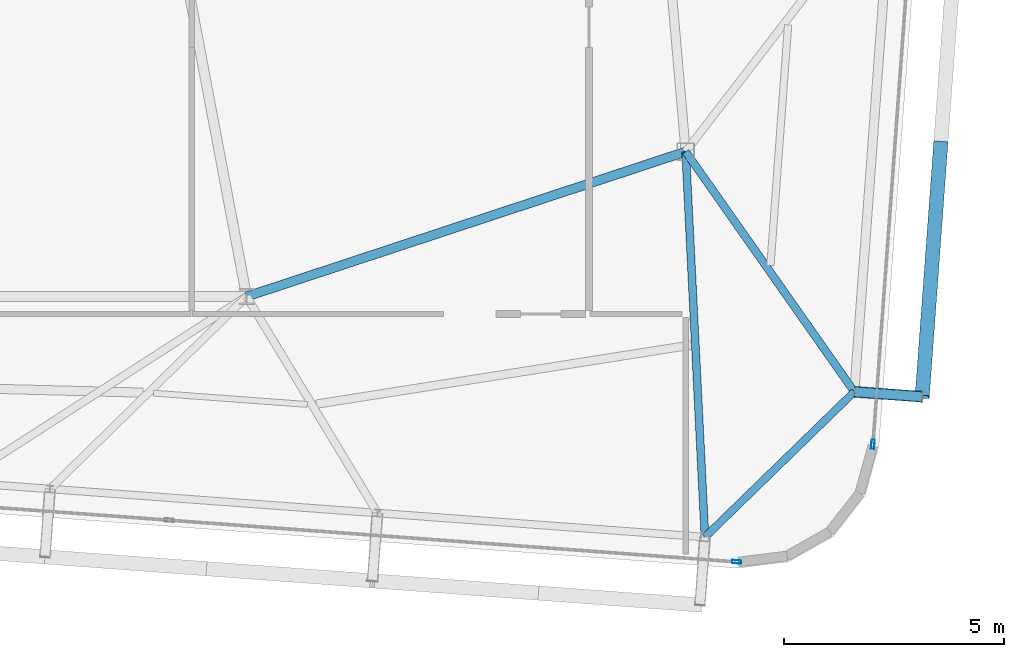
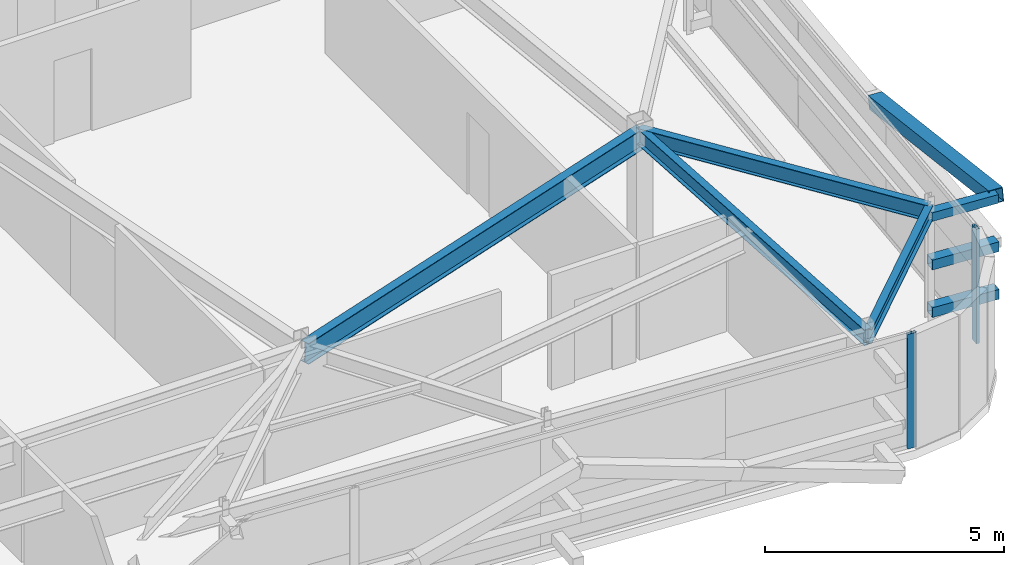
# One storey, part 15 of 34: 6 members, 4 beams, 2 elements without a shape of their own.
"""IFC4 building model written with IfcOpenShell, lengths in metres."""

from ifc_helpers import new_model, si_unit, direction, frame, origin, origin_2d, place, context, subcontext, project, spatial, hollow_rectangle, i_section, extrude, source, transform, mapped, material, layer, layer_set, material_profile, profile_set, type_object, element, aggregate, save


model = new_model("IFC4")

# Units and contexts
model_context = context("Model", 3, precision=1e-05, world=origin(), true_north=direction((0.0, 1.0)))
body_context = subcontext(model_context, "Body", "Model", "MODEL_VIEW")
ifc_project = project(units=[si_unit("LENGTHUNIT", "METRE"), si_unit("AREAUNIT", "SQUARE_METRE"), si_unit("VOLUMEUNIT", "CUBIC_METRE"), si_unit("PLANEANGLEUNIT", "RADIAN"), si_unit("MASSUNIT", "GRAM", prefix="KILO")], contexts=[model_context])

# Site, building, storey
site_placement = place(None, origin())
site = spatial("IfcSite", under=ifc_project, at=site_placement, CompositionType="ELEMENT")
building_placement = place(site_placement, origin())
building = spatial("IfcBuilding", under=site, at=building_placement, Name="Taldren Reach Tower", CompositionType="ELEMENT")
storey_placement = place(building_placement, frame((0.0, 0.0, 246.050048828125)))
storey = spatial("IfcBuildingStorey", under=building, at=storey_placement, Name="L75", CompositionType="ELEMENT", Elevation=246.050048828125)

# Beams
ifc_material_1 = material(Name="Steel Gr 350 (350PLUS)", Category="steel")
ifc_material_profile_1 = material_profile(ifc_material_1, i_section(OverallWidth=0.208984375, OverallDepth=0.532958984375, WebThickness=0.01025390625, FlangeThickness=0.015625, at=origin_2d()), Name="530UB92.4")
ifc_profile_set_1 = profile_set([ifc_material_profile_1], Name="Steel Gr 350 (350PLUS)")
beam_type_1 = type_object("IfcBeamType", Name="BM-UB530A", PredefinedType="BEAM", material=ifc_profile_set_1)
shared_shape_1 = source(origin(), body_context, "Body", "SweptSolid", [
    extrude(i_section(OverallWidth=0.208984375, OverallDepth=0.532958984375, WebThickness=0.01025390625, FlangeThickness=0.015625, at=origin_2d()), origin(), (0.0, 0.0, 1.0), 10.530517578125),
])
beam_1_placement = place(storey_placement, frame((42.0, 9.199951171875, 2.663330078125), z_axis=(0.949627269203, 0.313381635689, 0.0), x_axis=(-0.313381635689, 0.949627269203, 0.0)))
element("IfcBeam", 1, at=beam_1_placement, inside=storey, type_object=beam_type_1, Name="Core-spine girder L75-SP12", PredefinedType="BEAM", context=body_context, shape_type="MappedRepresentation", body=[
    mapped(shared_shape_1, transform((0.0, 0.0, 0.0), scale=1.0)),
])
ifc_material_profile_2 = material_profile(ifc_material_1, i_section(OverallWidth=0.172119140625, OverallDepth=0.35888671875, WebThickness=0.008056640625, FlangeThickness=0.012939453125, at=origin_2d()), Name="360UB56.7")
ifc_profile_set_2 = profile_set([ifc_material_profile_2], Name="Steel Gr 350 (350PLUS)")
beam_type_2 = type_object("IfcBeamType", Name="SP-UB360", PredefinedType="SPANDREL", material=ifc_profile_set_2)
shared_shape_2 = source(origin(), body_context, "Body", "SweptSolid", [
    extrude(i_section(OverallWidth=0.172119140625, OverallDepth=0.35888671875, WebThickness=0.008056640625, FlangeThickness=0.012939453125, at=origin_2d()), origin(), (0.0, 0.0, 1.0), 4.74609375),
])
beam_2_placement = place(storey_placement, frame((52.440185546875, 3.72119140625, 2.75048828125), z_axis=(0.716711338436, 0.697369957309, 0.0), x_axis=(-0.697369957309, 0.716711338436, 0.0)))
element("IfcBeam", 2, at=beam_2_placement, inside=storey, type_object=beam_type_2, Name="Perimeter spandrel B5 S6-E1 L75", PredefinedType="SPANDREL", context=body_context, shape_type="MappedRepresentation", body=[
    mapped(shared_shape_2, transform((0.0, 0.0, 0.0), scale=1.0)),
])
ifc_material_profile_3 = material_profile(ifc_material_1, i_section(OverallWidth=0.177978515625, OverallDepth=0.406005859375, WebThickness=0.0078125, FlangeThickness=0.0126953125, at=origin_2d()), Name="410UB59.7")
ifc_profile_set_3 = profile_set([ifc_material_profile_3], Name="Steel Gr 350 (350PLUS)")
beam_type_3 = type_object("IfcBeamType", Name="BM-UB410", PredefinedType="BEAM", material=ifc_profile_set_3)
shared_shape_3 = source(origin(), body_context, "Body", "SweptSolid", [
    extrude(i_section(OverallWidth=0.177978515625, OverallDepth=0.406005859375, WebThickness=0.0078125, FlangeThickness=0.0126953125, at=origin_2d()), origin(), (0.0, 0.0, 1.0), 8.789794921875),
])
beam_3_placement = place(storey_placement, frame((52.0, 12.5, 2.72705078125), z_axis=(0.050078917367, -0.998745263836, 0.0), x_axis=(0.998745263836, 0.050078917367, 0.0)))
element("IfcBeam", 3, at=beam_3_placement, inside=storey, type_object=beam_type_3, Name="Primary floor girder B5-S6 L75", PredefinedType="BEAM", context=body_context, shape_type="MappedRepresentation", body=[
    mapped(shared_shape_3, transform((0.0, 0.0, 0.0), scale=1.0)),
])
shared_shape_4 = source(origin(), body_context, "Body", "SweptSolid", [
    extrude(i_section(OverallWidth=0.177978515625, OverallDepth=0.406005859375, WebThickness=0.0078125, FlangeThickness=0.0126953125, at=origin_2d()), origin(), (0.0, 0.0, 1.0), 6.68359375),
])
beam_4_placement = place(storey_placement, frame((52.0, 12.5, 2.72705078125), z_axis=(0.574817292651, -0.818281785249, 0.0), x_axis=(0.818281785249, 0.574817292651, 0.0)))
element("IfcBeam", 4, at=beam_4_placement, inside=storey, type_object=beam_type_3, Name="Primary floor girder B5-E1 L75", PredefinedType="BEAM", context=body_context, shape_type="MappedRepresentation", body=[
    mapped(shared_shape_4, transform((0.0, 0.0, 0.0), scale=1.0)),
])

# Members
ifc_material_2 = material(Name="Steel Gr 450 (C450L0)", Category="steel")
ifc_material_profile_4 = material_profile(ifc_material_2, hollow_rectangle(XDim=0.219970703125, YDim=0.219970703125, WallThickness=0.00830078125, at=origin_2d()), Name="220x220x8.2SHS")
ifc_profile_set_4 = profile_set([ifc_material_profile_4], Name="Steel Gr 450 (C450L0)")
member_type_1 = type_object("IfcMemberType", Name="MB-TIE219", PredefinedType="STRUT", material=ifc_profile_set_4)
shared_shape_5 = source(origin(), body_context, "Body", "SweptSolid", [
    extrude(hollow_rectangle(XDim=0.219970703125, YDim=0.219970703125, WallThickness=0.00830078125, at=origin_2d()), origin(), (0.0, 0.0, 1.0), 1.546142578125),
])
member_1_placement = place(storey_placement, frame((55.845703125, 7.030517578125, 2.64990234375), z_axis=(0.997323903953, -0.073109716202, 0.0), x_axis=(0.073109716202, 0.997323903953, 0.0)))
element("IfcMember", 5, at=member_1_placement, inside=storey, type_object=member_type_1, Name="Exoskeleton diaphragm tie strut B5-E1 L75", PredefinedType="STRUT", context=body_context, shape_type="MappedRepresentation", body=[
    mapped(shared_shape_5, transform((0.0, 0.0, 0.0), scale=1.0)),
])
ifc_material_profile_5 = material_profile(ifc_material_2, hollow_rectangle(XDim=0.324951171875, YDim=0.324951171875, WallThickness=0.0126953125, at=origin_2d()), Name="325x325x12.7SHS")
ifc_profile_set_5 = profile_set([ifc_material_profile_5], Name="Steel Gr 450 (C450L0)")
member_type_2 = type_object("IfcMemberType", Name="MB-BR324", PredefinedType="BRACE", material=ifc_profile_set_5)
shared_shape_6 = source(origin(), body_context, "Body", "SweptSolid", [
    extrude(hollow_rectangle(XDim=0.324951171875, YDim=0.324951171875, WallThickness=0.0126953125, at=origin_2d()), origin(), (0.0, 0.0, 1.0), 5.92578125),
])
member_2_placement = place(storey_placement, frame((57.812255859375, 12.701904296875, 1.43505859375), z_axis=(-0.071645553297, -0.976134614303, 0.205007632667), x_axis=(0.997317259472, -0.073200300267, 0.0)))
element("IfcMember", 6, at=member_2_placement, inside=storey, type_object=member_type_2, Name="Exoskeleton Diagrid Brace B5-E1 L75", PredefinedType="BRACE", context=body_context, shape_type="MappedRepresentation", body=[
    mapped(shared_shape_6, transform((0.0, 0.0, 0.0), scale=1.0)),
])
ifc_material_3 = material(Name="Steel Gr 350 (C350L0)", Category="steel")
ifc_material_profile_6 = material_profile(ifc_material_3, hollow_rectangle(XDim=0.25, YDim=0.25, WallThickness=0.010009765625, at=origin_2d()), Name="250x250x10.0SHS")
ifc_profile_set_6 = profile_set([ifc_material_profile_6], Name="Steel Gr 350 (C350L0)")
member_type_3 = type_object("IfcMemberType", Name="MB-POST250", PredefinedType="POST", material=ifc_profile_set_6)
shared_shape_7 = source(origin(), body_context, "Body", "SweptSolid", [
    extrude(hollow_rectangle(XDim=0.25, YDim=0.25, WallThickness=0.010009765625, at=origin_2d()), origin(), (0.0, 0.0, 1.0), 1.546142578125),
])
for number, where, z_axis, x_axis, name in (
    (7, (55.845703125, 7.030517578125, 0.219970703125), (0.997323903953, -0.073109716202, 0.0), (0.073109716202, 0.997323903953, 0.0), "Exoskeleton base diaphragm tie strut B5-E1 L75"),
    (8, (55.845703125, 7.030517578125, 1.43505859375), (0.997323903953, -0.073109716202, 0.0), (0.073109716202, 0.997323903953, 0.0), "Exoskeleton mid-tier diaphragm tie B5-E1 L75"),
):
    element("IfcMember", number, at=place(storey_placement, frame(where, z_axis=z_axis, x_axis=x_axis)), inside=storey, type_object=member_type_3, Name=name, PredefinedType="POST", context=body_context, shape_type="MappedRepresentation", body=[
        mapped(shared_shape_7, transform((0.0, 0.0, 0.0), scale=1.0)),
    ])

# Curtain wall, member
ifc_material_4 = material(Name="Aluminium and Low-E Glass Unitised System", Category="aluminium")
ifc_layer = layer(ifc_material_4, 0.159912109375)
ifc_layer_set = layer_set([ifc_layer], Name="Aluminium and Low-E Glass Unitised System")
curtain_wall_type = type_object("IfcCurtainWallType", Name="CW-SYS-6", PredefinedType="NOTDEFINED", material=ifc_layer_set)
curtain_wall_1_placement = place(storey_placement, origin())
curtain_wall_1 = element("IfcCurtainWall", 9, at=curtain_wall_1_placement, inside=storey, type_object=curtain_wall_type, Name="Unitised curtain wall CW-L75-S", PredefinedType="NOTDEFINED")
ifc_material_5 = material(Name="Anodised Aluminium 6063-T6", Category="aluminium")
ifc_material_profile_7 = material_profile(ifc_material_5, hollow_rectangle(XDim=0.074951171875, YDim=0.2099609375, WallThickness=0.00439453125, at=origin_2d()), Name="ALU-210x75x4.5RHS")
ifc_profile_set_7 = profile_set([ifc_material_profile_7], Name="Anodised Aluminium 6063-T6")
member_type_4 = type_object("IfcMemberType", Name="CW-MUL-200", PredefinedType="MULLION", material=ifc_profile_set_7)
shared_shape_8 = source(origin(), body_context, "Body", "SweptSolid", [
    extrude(hollow_rectangle(XDim=0.074951171875, YDim=0.2099609375, WallThickness=0.00439453125, at=origin_2d()), origin(), (0.0, 0.0, 1.0), 2.929931640625),
])
member_3_placement = place(storey_placement, frame((53.163330078125, 3.15673828125, 0.0), z_axis=(0.0, 0.0, 1.0), x_axis=(0.073238213716, 0.997314476006, 0.0)))
member_3 = element("IfcMember", 10, at=member_3_placement, type_object=member_type_4, Name="CW-6 mullion 4", PredefinedType="MULLION", context=body_context, shape_type="MappedRepresentation", body=[
    mapped(shared_shape_8, transform((0.0, 0.0, 0.0), scale=1.0)),
])
aggregate(curtain_wall_1, [member_3])

curtain_wall_2_placement = place(storey_placement, origin())
curtain_wall_2 = element("IfcCurtainWall", 11, at=curtain_wall_2_placement, inside=storey, type_object=curtain_wall_type, Name="Unitised curtain wall CW-L75-E", PredefinedType="NOTDEFINED")
member_4_placement = place(storey_placement, frame((56.26513671875, 5.834228515625, 0.0), z_axis=(0.0, 0.0, 1.0), x_axis=(-0.997314470951, 0.073238282558, 0.0)))
member_4 = element("IfcMember", 12, at=member_4_placement, type_object=member_type_4, Name="CW-6 mullion 1", PredefinedType="MULLION", context=body_context, shape_type="MappedRepresentation", body=[
    mapped(shared_shape_8, transform((0.0, 0.0, 0.0), scale=1.0)),
])
aggregate(curtain_wall_2, [member_4])

save(model, "model.ifc")
